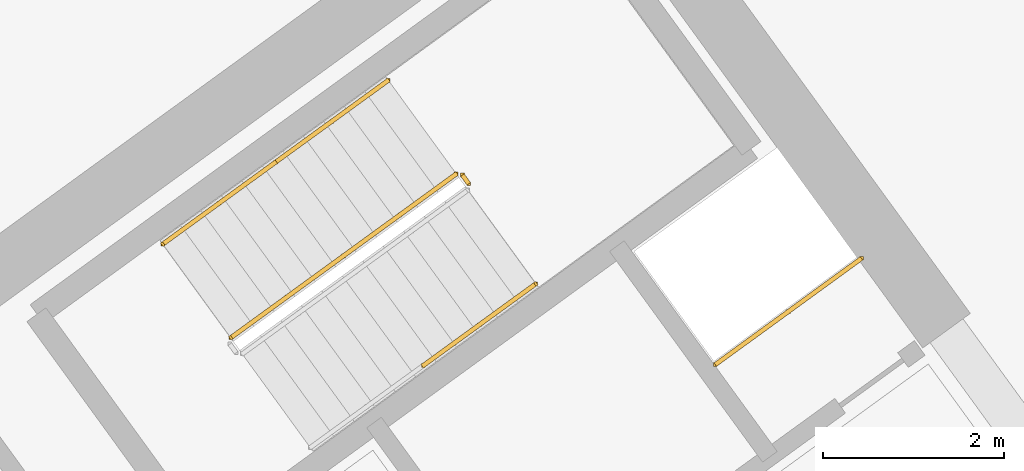
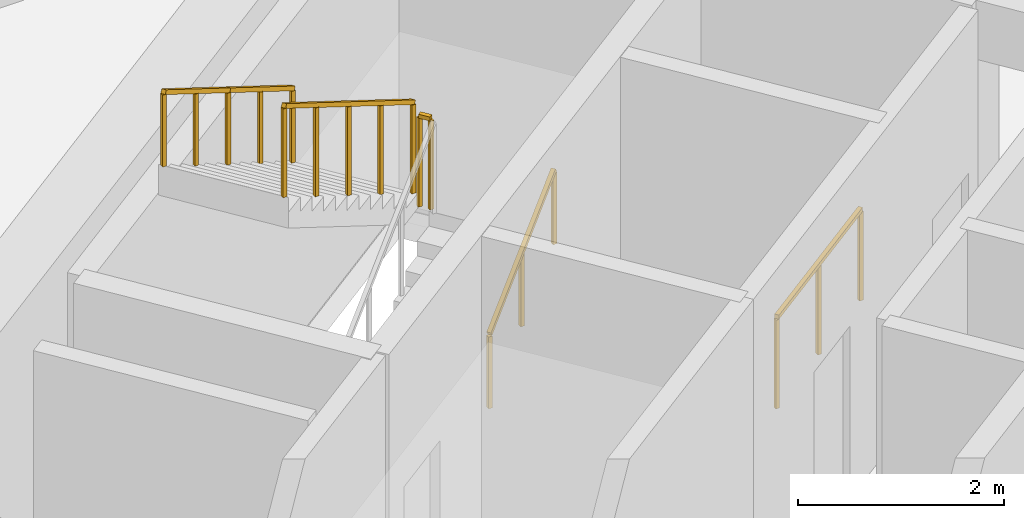
# One storey, part 21 of 22: 6 railings.
"""IFC4 building model written with IfcOpenShell, lengths in metres."""

from ifc_helpers import new_model, si_unit, direction, frame, origin, origin_2d, place, context, subcontext, project, spatial, rectangle, extrude, source, transform, mapped, material, type_object, element, save


model = new_model("IFC4")

# Units and contexts
model_context = context("Model", 3, precision=1e-05, world=origin(), true_north=direction((0.0, 1.0)))
body_context = subcontext(model_context, "Body", "Model", "MODEL_VIEW")
ifc_project = project(units=[si_unit("LENGTHUNIT", "METRE"), si_unit("AREAUNIT", "SQUARE_METRE"), si_unit("VOLUMEUNIT", "CUBIC_METRE"), si_unit("PLANEANGLEUNIT", "RADIAN"), si_unit("MASSUNIT", "GRAM", prefix="KILO")], contexts=[model_context])

# Site, building, storey
site_placement = place(None, origin())
site = spatial("IfcSite", under=ifc_project, at=site_placement, CompositionType="ELEMENT")
building_placement = place(site_placement, origin())
building = spatial("IfcBuilding", under=site, at=building_placement, Name="Tlacorven Tower", CompositionType="ELEMENT")
storey_placement = place(building_placement, frame((0.0, 0.0, 14.39990234375)))
storey = spatial("IfcBuildingStorey", under=building, at=storey_placement, Name="L03", CompositionType="ELEMENT", Elevation=14.39990234375)

# Railings
ifc_material = material(Name="Aluminium and painted steel balustrade", Category="steel")
railing_type_1 = type_object("IfcRailingType", Name="RL-GRD-1100", PredefinedType="GUARDRAIL", material=ifc_material)
shared_shape_1 = source(origin(), body_context, "Body", "SweptSolid", [
    extrude(rectangle(XDim=0.048095703125, YDim=0.048095703125, at=origin_2d()), frame((0.0, 0.0, 1.076171875), z_axis=(0.808947177504, 0.587881334972, 0.0), x_axis=(-0.587881334972, 0.808947177504, 0.0)), (0.0, 0.0, 1.0), 2.0),
    extrude(rectangle(XDim=0.0419921875, YDim=0.0419921875, at=origin_2d()), origin(), (0.0, 0.0, 1.0), 1.052001953125),
    extrude(rectangle(XDim=0.0419921875, YDim=0.0419921875, at=origin_2d()), frame((0.80908203125, 0.587890625, 0.0)), (0.0, 0.0, 1.0), 1.052001953125),
    extrude(rectangle(XDim=0.0419921875, YDim=0.0419921875, at=origin_2d()), frame((1.617919921875, 1.17578125, 0.0)), (0.0, 0.0, 1.0), 1.052001953125),
])
railing_1_placement = place(storey_placement, frame((55.506103515625, 25.438232421875, 0.0)))
element("IfcRailing", 1, at=railing_1_placement, inside=storey, type_object=railing_type_1, Name="L03 Electrical Riser E Shaft Guard 1", PredefinedType="GUARDRAIL", context=body_context, shape_type="MappedRepresentation", body=[
    mapped(shared_shape_1, transform((0.0, 0.0, 0.0), scale=1.0)),
])
shared_shape_2 = source(origin(), body_context, "Body", "SweptSolid", [
    extrude(rectangle(XDim=0.048095703125, YDim=0.048095703125, at=origin_2d()), frame((0.0, 0.0, 1.076171875), z_axis=(-0.587567097037, 0.809175448515, 0.0), x_axis=(-0.809175448515, -0.587567097037, 0.0)), (0.0, 0.0, 1.0), 0.1201171875),
    extrude(rectangle(XDim=0.0419921875, YDim=0.0419921875, at=origin_2d()), origin(), (0.0, 0.0, 1.0), 1.052001953125),
    extrude(rectangle(XDim=0.0419921875, YDim=0.0419921875, at=origin_2d()), frame((-0.070556640625, 0.09716796875, 0.0)), (0.0, 0.0, 1.0), 1.052001953125),
])
railing_2_placement = place(storey_placement, frame((52.780029296875, 27.43798828125, 2.10009765625)))
element("IfcRailing", 2, at=railing_2_placement, inside=storey, type_object=railing_type_1, Name="L03 ST-E1 stair guard 2", PredefinedType="GUARDRAIL", context=body_context, shape_type="MappedRepresentation", body=[
    mapped(shared_shape_2, transform((0.0, 0.0, 0.0), scale=1.0)),
])
railing_type_2 = type_object("IfcRailingType", Name="RL-HND-0900", PredefinedType="HANDRAIL", material=ifc_material)
shared_shape_3 = source(origin(), body_context, "Body", "SweptSolid", [
    extrude(rectangle(XDim=0.048095703125, YDim=0.048095703125, at=origin_2d()), frame((0.0, 0.0, 0.8759765625), z_axis=(-0.686084062368, -0.498395770958, 0.529990862993), x_axis=(0.58772853873, -0.809058196153, 0.0)), (0.0, 0.0, 1.0), 1.81591796875),
    extrude(rectangle(XDim=0.0419921875, YDim=0.0419921875, at=origin_2d()), origin(), (0.0, 0.0, 1.0), 0.851806640625),
    extrude(rectangle(XDim=0.0419921875, YDim=0.0419921875, at=origin_2d()), frame((-0.623046875, -0.45263671875, 0.481201171875)), (0.0, 0.0, 1.0), 0.851806640625),
    extrude(rectangle(XDim=0.0419921875, YDim=0.0419921875, at=origin_2d()), frame((-1.245849609375, -0.905029296875, 0.96240234375)), (0.0, 0.0, 1.0), 0.851806640625),
])
railing_3_placement = place(storey_placement, frame((51.88720703125, 28.58154296875, 2.275146484375)))
element("IfcRailing", 3, at=railing_3_placement, inside=storey, type_object=railing_type_2, Name="L03 ST-E1 stair handrail 3", PredefinedType="HANDRAIL", context=body_context, shape_type="MappedRepresentation", body=[
    mapped(shared_shape_3, transform((0.0, 0.0, 0.0), scale=1.0)),
])
shared_shape_4 = source(origin(), body_context, "Body", "SweptSolid", [
    extrude(rectangle(XDim=0.048095703125, YDim=0.048095703125, at=origin_2d()), frame((0.0, 0.0, 1.076171875), z_axis=(-0.686036633924, -0.498428536209, 0.530021444101), x_axis=(0.58778042511, -0.809020501506, 0.0)), (0.0, 0.0, 1.0), 3.632080078125),
    extrude(rectangle(XDim=0.0419921875, YDim=0.0419921875, at=origin_2d()), origin(), (0.0, 0.0, 1.0), 1.052001953125),
    extrude(rectangle(XDim=0.0419921875, YDim=0.0419921875, at=origin_2d()), frame((-0.623046875, -0.45263671875, 0.481201171875)), (0.0, 0.0, 1.0), 1.052001953125),
    extrude(rectangle(XDim=0.0419921875, YDim=0.0419921875, at=origin_2d()), frame((-1.245849609375, -0.9052734375, 0.96240234375)), (0.0, 0.0, 1.0), 1.052001953125),
    extrude(rectangle(XDim=0.0419921875, YDim=0.0419921875, at=origin_2d()), frame((-1.86865234375, -1.357666015625, 1.44384765625)), (0.0, 0.0, 1.0), 1.052001953125),
    extrude(rectangle(XDim=0.0419921875, YDim=0.0419921875, at=origin_2d()), frame((-2.49169921875, -1.810302734375, 1.925048828125)), (0.0, 0.0, 1.0), 1.052001953125),
])
railing_4_placement = place(storey_placement, frame((52.6396484375, 27.546142578125, 2.275146484375)))
element("IfcRailing", 4, at=railing_4_placement, inside=storey, type_object=railing_type_1, Name="L03 ST-E1 stair guard 3", PredefinedType="GUARDRAIL", context=body_context, shape_type="MappedRepresentation", body=[
    mapped(shared_shape_4, transform((0.0, 0.0, 0.0), scale=1.0)),
])
shared_shape_5 = source(origin(), body_context, "Body", "SweptSolid", [
    extrude(rectangle(XDim=0.048095703125, YDim=0.048095703125, at=origin_2d()), frame((0.0, 0.0, 0.8759765625), z_axis=(0.686084062368, 0.498395770958, 0.529990862993), x_axis=(-0.58772853873, 0.809058196153, 0.0)), (0.0, 0.0, 1.0), 1.81591796875),
    extrude(rectangle(XDim=0.0419921875, YDim=0.0419921875, at=origin_2d()), origin(), (0.0, 0.0, 1.0), 0.851806640625),
    extrude(rectangle(XDim=0.0419921875, YDim=0.0419921875, at=origin_2d()), frame((0.623046875, 0.45263671875, 0.481201171875)), (0.0, 0.0, 1.0), 0.851806640625),
    extrude(rectangle(XDim=0.0419921875, YDim=0.0419921875, at=origin_2d()), frame((1.245849609375, 0.905029296875, 0.96240234375)), (0.0, 0.0, 1.0), 0.851806640625),
])
railing_5_placement = place(storey_placement, frame((52.275390625, 25.427490234375, 1.1376953125)))
element("IfcRailing", 5, at=railing_5_placement, inside=storey, type_object=railing_type_2, Name="L03 ST-E1 stair handrail 2", PredefinedType="HANDRAIL", context=body_context, shape_type="MappedRepresentation", body=[
    mapped(shared_shape_5, transform((0.0, 0.0, 0.0), scale=1.0)),
])
shared_shape_6 = source(origin(), body_context, "Body", "SweptSolid", [
    extrude(rectangle(XDim=0.048095703125, YDim=0.048095703125, at=origin_2d()), frame((0.0, 0.0, 0.8759765625), z_axis=(-0.685989209117, -0.498461294808, 0.530052018724), x_axis=(0.587832304237, -0.808982807045, 0.0)), (0.0, 0.0, 1.0), 1.816162109375),
    extrude(rectangle(XDim=0.0419921875, YDim=0.0419921875, at=origin_2d()), origin(), (0.0, 0.0, 1.0), 0.851806640625),
    extrude(rectangle(XDim=0.0419921875, YDim=0.0419921875, at=origin_2d()), frame((-0.623046875, -0.45263671875, 0.4814453125)), (0.0, 0.0, 1.0), 0.851806640625),
    extrude(rectangle(XDim=0.0419921875, YDim=0.0419921875, at=origin_2d()), frame((-1.245849609375, -0.9052734375, 0.962646484375)), (0.0, 0.0, 1.0), 0.851806640625),
])
railing_6_placement = place(storey_placement, frame((50.641357421875, 27.676513671875, 3.237548828125)))
element("IfcRailing", 6, at=railing_6_placement, inside=storey, type_object=railing_type_2, Name="L03 ST-E1 stair handrail 4", PredefinedType="HANDRAIL", context=body_context, shape_type="MappedRepresentation", body=[
    mapped(shared_shape_6, transform((0.0, 0.0, 0.0), scale=1.0)),
])

save(model, "model.ifc")
